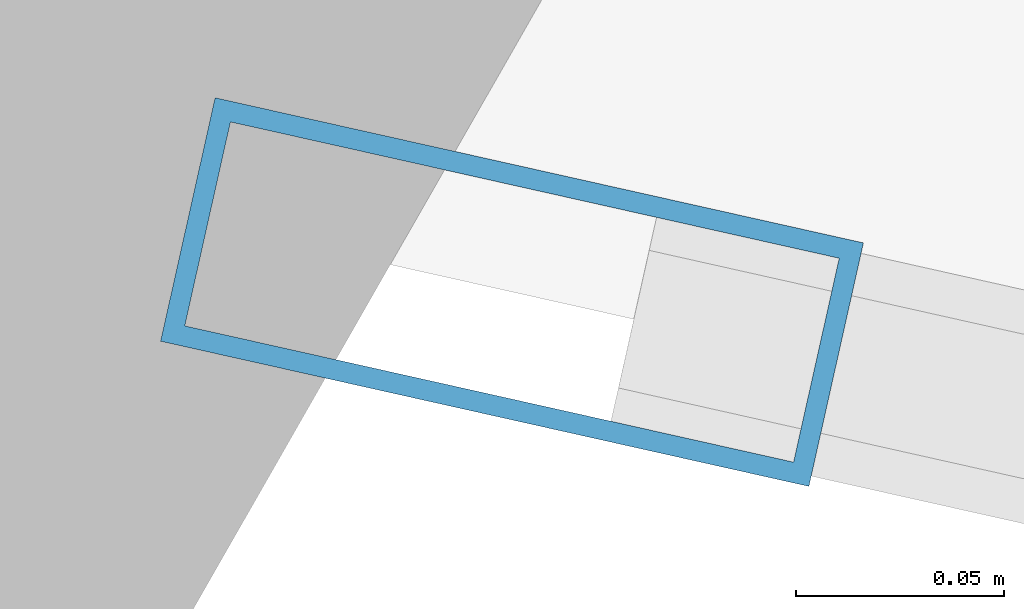
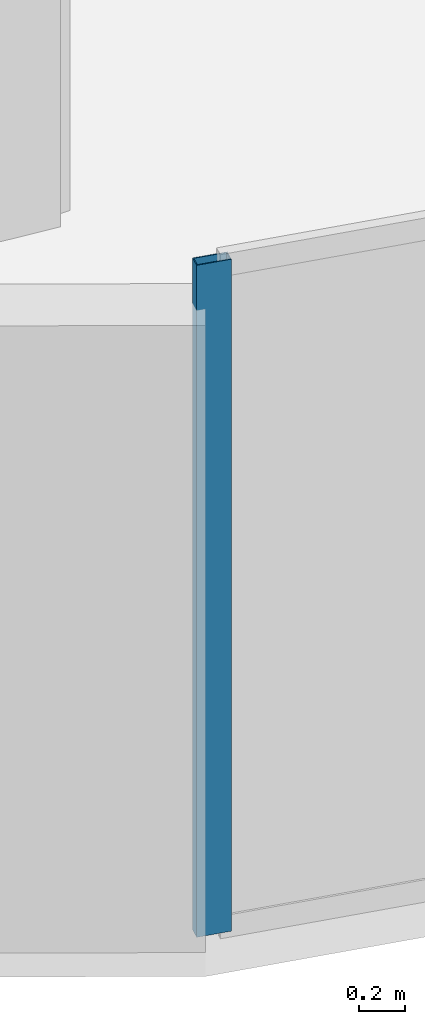
# One storey, part 2 of 23: 1 member, 1 element without a shape of its own.
"""IFC4 building model written with IfcOpenShell, lengths in metres."""

from ifc_helpers import new_model, si_unit, direction, frame, origin, origin_2d, place, context, subcontext, project, spatial, hollow_rectangle, extrude, source, transform, mapped, material, layer, layer_set, material_profile, profile_set, type_object, element, aggregate, save


model = new_model("IFC4")

# Units and contexts
model_context = context("Model", 3, precision=1e-05, world=origin(), true_north=direction((0.0, 1.0)))
body_context = subcontext(model_context, "Body", "Model", "MODEL_VIEW")
ifc_project = project(units=[si_unit("LENGTHUNIT", "METRE"), si_unit("AREAUNIT", "SQUARE_METRE"), si_unit("VOLUMEUNIT", "CUBIC_METRE"), si_unit("PLANEANGLEUNIT", "RADIAN"), si_unit("MASSUNIT", "GRAM", prefix="KILO")], contexts=[model_context])

# Site, building, storey
site_placement = place(None, origin())
site = spatial("IfcSite", under=ifc_project, at=site_placement, CompositionType="ELEMENT")
building_placement = place(site_placement, origin())
building = spatial("IfcBuilding", under=site, at=building_placement, Name="Solvirekh Grand Hotel", CompositionType="ELEMENT")
storey_placement = place(building_placement, frame((0.0, 0.0, 180.39990234375)))
storey = spatial("IfcBuildingStorey", under=building, at=storey_placement, Name="L46", CompositionType="ELEMENT", Elevation=180.39990234375)

# Curtain wall, member
ifc_material = material(Name="Anodized Bronze Aluminium 6063-T6", Category="aluminium")
ifc_layer = layer(ifc_material, 0.159912109375)
ifc_layer_set = layer_set([ifc_layer], Name="Anodized Bronze Aluminium 6063-T6")
curtain_wall_type = type_object("IfcCurtainWallType", Name="CW_Sys4_HighZoneFlushBronzeCW", PredefinedType="NOTDEFINED", material=ifc_layer_set)
curtain_wall_placement = place(storey_placement, origin())
curtain_wall = element("IfcCurtainWall", 1, at=curtain_wall_placement, inside=storey, type_object=curtain_wall_type, Name="L46 unitised bronze-glass curtain wall CW-L46-C18", PredefinedType="NOTDEFINED")
ifc_material_profile = material_profile(ifc_material, hollow_rectangle(XDim=0.06005859375, YDim=0.159912109375, WallThickness=0.0048828125, at=origin_2d()), Name="ALU RHS 160X60X5")
ifc_profile_set = profile_set([ifc_material_profile], Name="Anodized Bronze Aluminium 6063-T6")
member_type = type_object("IfcMemberType", Name="CWMullion_Sys4", PredefinedType="MULLION", material=ifc_profile_set)
shared_shape = source(origin(), body_context, "Body", "SweptSolid", [
    extrude(hollow_rectangle(XDim=0.06005859375, YDim=0.159912109375, WallThickness=0.0048828125, at=origin_2d()), origin(), (0.0, 0.0, 1.0), 3.60009765625),
])
member_placement = place(storey_placement, frame((-5.960693359375, -19.404541015625, 0.0), z_axis=(0.0, 0.0, 1.0), x_axis=(0.218487916144, 0.975839654092, 0.0)))
member = element("IfcMember", 2, at=member_placement, type_object=member_type, Name="U04 mullion 1", PredefinedType="MULLION", context=body_context, shape_type="MappedRepresentation", body=[
    mapped(shared_shape, transform((0.0, 0.0, 0.0), x_axis=(1.0, 0.0, 0.0), y_axis=(0.0, 1.0, 0.0), z_axis=(0.0, 0.0, 1.0), scale=1.0)),
])
aggregate(curtain_wall, [member])

save(model, "model.ifc")
